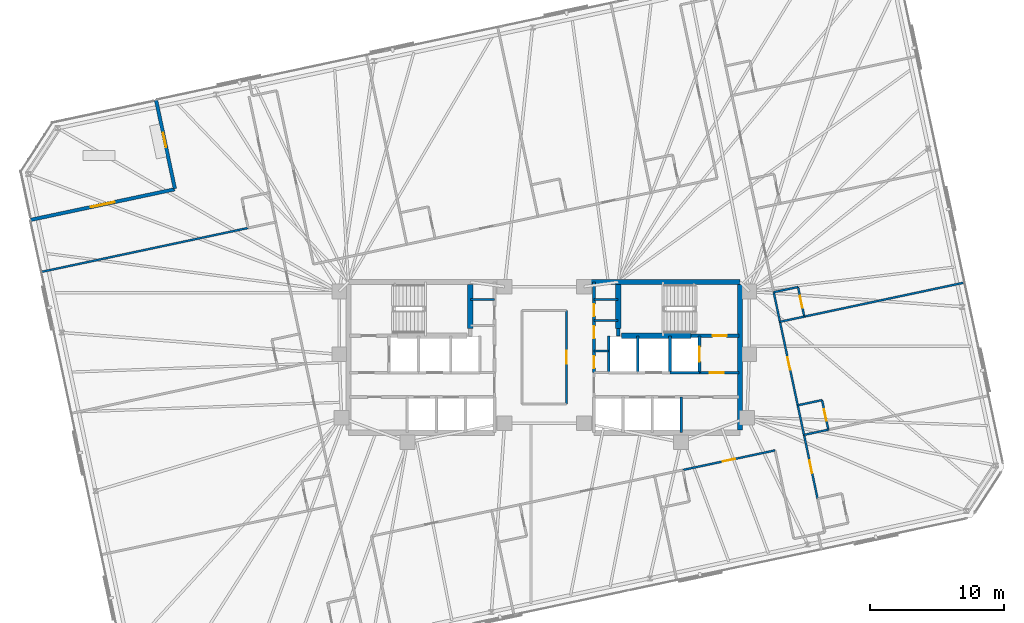
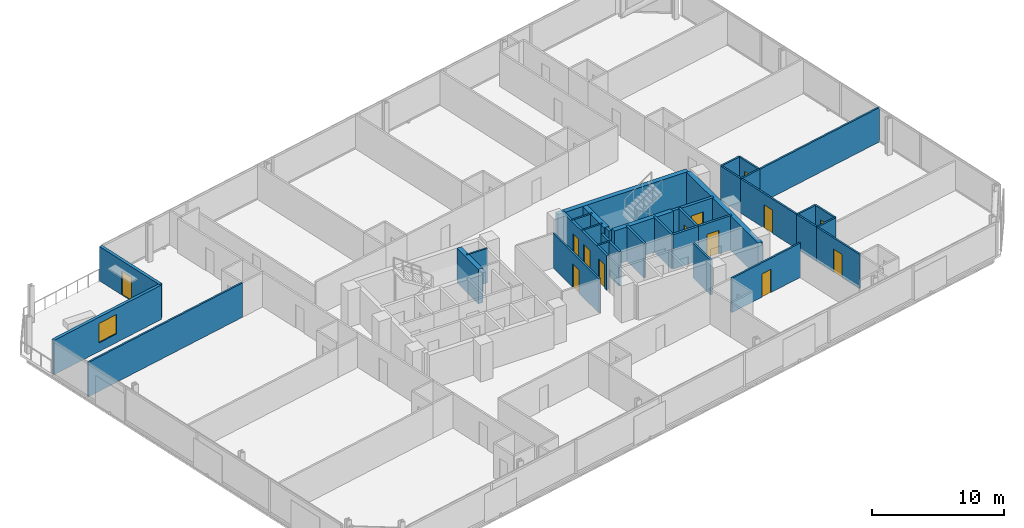
# One storey, part 16 of 20: 35 walls, 13 doors, 1 window, 14 openings.
"""IFC4 building model written with IfcOpenShell, lengths in metres."""

from ifc_helpers import new_model, si_unit, direction, frame, frame_2d, origin, place, context, subcontext, project, spatial, rectangle, extrude, material, layer, layer_set, type_object, element, fill, save


model = new_model("IFC4")

# Units and contexts
model_context = context("Model", 3, precision=1e-05, world=origin(), true_north=direction((0.0, 1.0)))
body_context = subcontext(model_context, "Body", "Model", "MODEL_VIEW")
ifc_project = project(units=[si_unit("LENGTHUNIT", "METRE"), si_unit("AREAUNIT", "SQUARE_METRE"), si_unit("VOLUMEUNIT", "CUBIC_METRE"), si_unit("PLANEANGLEUNIT", "RADIAN"), si_unit("MASSUNIT", "GRAM", prefix="KILO")], contexts=[model_context])

# Site, building, storey
site_placement = place(None, origin())
site = spatial("IfcSite", under=ifc_project, at=site_placement, CompositionType="ELEMENT")
building_placement = place(site_placement, origin())
building = spatial("IfcBuilding", under=site, at=building_placement, Name="Menara Jurai Vektor", CompositionType="ELEMENT")
storey_placement = place(building_placement, frame((0.0, 0.0, 175.199951171875)))
storey = spatial("IfcBuildingStorey", under=building, at=storey_placement, Name="L45", CompositionType="ELEMENT", Elevation=175.199951171875)

# Wall, opening, door
ifc_material_1 = material(Name="Insulated Pale Aluminium Terrace Wall", Category="aluminium")
ifc_layer_1 = layer(ifc_material_1, 0.260009765625)
ifc_layer_set_1 = layer_set([ifc_layer_1], Name="Insulated Pale Aluminium Terrace Wall")
wall_type_1 = type_object("IfcWallType", Name="ENV-WALL-EXT260", PredefinedType="STANDARD", material=ifc_layer_set_1)
wall_1_placement = place(storey_placement, frame((-28.872314453125, 19.122802734375, 0.0), z_axis=(0.0, 0.0, 1.0), x_axis=(0.207950596046, -0.978139330364, 0.0)))
wall_1 = element("IfcWall", 1, at=wall_1_placement, inside=storey, type_object=wall_type_1, Name="Recessed Sky Terrace Wall L45-01", PredefinedType="STANDARD", context=body_context, shape_type="SweptSolid", body=[
    extrude(rectangle(XDim=6.740234375, YDim=0.260009765625, at=frame_2d((3.3701171875, 0.0))), origin(), (0.0, 0.0, 1.0), 3.175048828125),
])
opening_1_placement = place(wall_1_placement, frame((2.48291015625, 0.0, 0.0)))
opening_1 = element("IfcOpeningElement", 2, at=opening_1_placement, cuts=wall_1, Name="Opening TD-L45", PredefinedType="OPENING", context=body_context, shape_type="SweptSolid", body=[
    extrude(rectangle(XDim=1.10009765625, YDim=2.199951171875, at=frame_2d((0.550048828125, 1.10009765625))), frame((0.0, 0.14013671875, 0.0), z_axis=(0.0, -1.0, 0.0), x_axis=(1.0, 0.0, 0.0)), (0.0, 0.0, 1.0), 0.280029296875),
])
ifc_material_2 = material(Name="Anodised Aluminium Glazed Terrace Door", Category="aluminium")
door_type_1 = type_object("IfcDoorType", Name="ENV-DOOR-TER110", OperationType="NOTDEFINED", PredefinedType="DOOR", material=ifc_material_2)
door_1_placement = place(opening_1_placement, frame((1.10009765625, 0.0, 0.0), z_axis=(0.0, 0.0, 1.0), x_axis=(-1.0, 0.0, 0.0)))
door_1 = element("IfcDoor", 3, at=door_1_placement, inside=storey, type_object=door_type_1, Name="Spiral Corner Terrace Access Door L45", OperationType="SINGLE_SWING_LEFT", OverallHeight=2.199951171875, OverallWidth=1.10009765625, PredefinedType="DOOR", context=body_context, shape_type="SweptSolid", body=[
    extrude(rectangle(XDim=1.10009765625, YDim=2.199951171875, at=frame_2d((0.550048828125, 1.10009765625))), frame((0.0, 0.02490234375, 0.0), z_axis=(0.0, -1.0, 0.0), x_axis=(1.0, 0.0, 0.0)), (0.0, 0.0, 1.0), 0.050048828125),
])
fill(opening_1, door_1)

# Wall, opening, window
wall_2_placement = place(storey_placement, frame((-27.493896484375, 12.49462890625, 0.0), z_axis=(0.0, 0.0, 1.0), x_axis=(-0.978145633983, -0.207920943438, 0.0)))
wall_2 = element("IfcWall", 4, at=wall_2_placement, inside=storey, type_object=wall_type_1, Name="Recessed Sky Terrace Wall L45-02", PredefinedType="STANDARD", context=body_context, shape_type="SweptSolid", body=[
    extrude(rectangle(XDim=10.93994140625, YDim=0.260009765625, at=frame_2d((5.469970703125, 0.0))), origin(), (0.0, 0.0, 1.0), 3.175048828125),
])
opening_2_placement = place(wall_2_placement, frame((4.570068359375, 0.0, 0.800048828125)))
opening_2 = element("IfcOpeningElement", 5, at=opening_2_placement, cuts=wall_2, Name="Opening TW-18", PredefinedType="OPENING", context=body_context, shape_type="SweptSolid", body=[
    extrude(rectangle(XDim=1.800048828125, YDim=1.800048828125, at=frame_2d((0.89990234375, 0.89990234375))), frame((0.0, 0.14013671875, 0.0), z_axis=(0.0, -1.0, 0.0), x_axis=(1.0, 0.0, 0.0)), (0.0, 0.0, 1.0), 0.280029296875),
])
ifc_material_3 = material(Name="Low-E Double Glazed Pale Aluminium Window", Category="aluminium")
window_type = type_object("IfcWindowType", Name="ENV-WIN-TER180", PartitioningType="SINGLE_PANEL", PredefinedType="WINDOW", material=ifc_material_3)
window_placement = place(opening_2_placement, origin())
window = element("IfcWindow", 6, at=window_placement, inside=storey, type_object=window_type, Name="Spiral Terrace Outlook Window L45", OverallHeight=1.800048828125, OverallWidth=1.800048828125, PartitioningType="SINGLE_PANEL", PredefinedType="WINDOW", context=body_context, shape_type="SweptSolid", body=[
    extrude(rectangle(XDim=1.800048828125, YDim=1.800048828125, at=frame_2d((0.89990234375, 0.89990234375))), frame((0.0, 0.030029296875, 0.0), z_axis=(0.0, -1.0, 0.0), x_axis=(1.0, 0.0, 0.0)), (0.0, 0.0, 1.0), 0.06005859375),
])
fill(opening_2, window)

# Wall, opening, door
ifc_material_4 = material(Name="Concrete C40/50", Category="concrete")
ifc_layer_2 = layer(ifc_material_4, 0.25)
ifc_layer_set_2 = layer_set([ifc_layer_2], Name="Concrete C40/50")
wall_type_2 = type_object("IfcWallType", Name="INT-WALL-CORE-250", PredefinedType="STANDARD", material=ifc_layer_set_2)
wall_3_placement = place(storey_placement, frame((10.89990234375, 1.60009765625, 0.0), z_axis=(0.0, 0.0, 1.0), x_axis=(1.0, 0.0, 0.0)))
wall_3 = element("IfcWall", 7, at=wall_3_placement, inside=storey, type_object=wall_type_2, Name="Interior Wall IW-250 L45", PredefinedType="STANDARD", context=body_context, shape_type="SweptSolid", body=[
    extrude(rectangle(XDim=3.60009765625, YDim=0.25, at=frame_2d((1.800048828125, 0.0))), origin(), (0.0, 0.0, 1.0), 3.175048828125),
])
opening_3_placement = place(wall_3_placement, frame((1.6201171875, 0.0, 0.0)))
opening_3 = element("IfcOpeningElement", 8, at=opening_3_placement, cuts=wall_3, Name="Opening D-L45-ST2", PredefinedType="OPENING", context=body_context, shape_type="SweptSolid", body=[
    extrude(rectangle(XDim=1.050048828125, YDim=2.14990234375, at=frame_2d((0.52490234375, 1.074951171875))), frame((0.0, 0.135009765625, 0.0), z_axis=(0.0, -1.0, 0.0), x_axis=(1.0, 0.0, 0.0)), (0.0, 0.0, 1.0), 0.27001953125),
])
ifc_material_5 = material(Name="Fire-Rated Steel Door", Category="steel")
door_type_2 = type_object("IfcDoorType", Name="DR-STAIR-1050", OperationType="NOTDEFINED", PredefinedType="DOOR", material=ifc_material_5)
door_2_placement = place(opening_3_placement, origin())
door_2 = element("IfcDoor", 9, at=door_2_placement, inside=storey, type_object=door_type_2, Name="Exit Stair ST2 Door L45", OperationType="SINGLE_SWING_LEFT", OverallHeight=2.14990234375, OverallWidth=1.050048828125, PredefinedType="DOOR", context=body_context, shape_type="SweptSolid", body=[
    extrude(rectangle(XDim=1.050048828125, YDim=2.14990234375, at=frame_2d((0.52490234375, 1.074951171875))), frame((0.0, 0.02490234375, 0.0), z_axis=(0.0, -1.0, 0.0), x_axis=(1.0, 0.0, 0.0)), (0.0, 0.0, 1.0), 0.050048828125),
])
fill(opening_3, door_2)

# Wall
wall_4_placement = place(storey_placement, frame((5.5, 1.60009765625, 0.0), z_axis=(0.0, 0.0, 1.0), x_axis=(0.0, 1.0, 0.0)))
element("IfcWall", 10, at=wall_4_placement, inside=storey, type_object=wall_type_2, Name="Interior Wall IW-250 L45", PredefinedType="STANDARD", context=body_context, shape_type="SweptSolid", body=[
    extrude(rectangle(XDim=0.5498046875, YDim=0.25, at=frame_2d((0.27490234375, 0.0))), origin(), (0.0, 0.0, 1.0), 3.175048828125),
])

# Wall, opening, door
wall_5_placement = place(storey_placement, frame((11.550048828125, -1.14990234375, 0.0), z_axis=(0.0, 0.0, 1.0), x_axis=(0.0, 1.0, 0.0)))
wall_5 = element("IfcWall", 11, at=wall_5_placement, inside=storey, type_object=wall_type_2, Name="Interior Wall IW-250 L45", PredefinedType="STANDARD", context=body_context, shape_type="SweptSolid", body=[
    extrude(rectangle(XDim=2.75, YDim=0.199951171875, at=frame_2d((1.375, 0.0))), origin(), (0.0, 0.0, 1.0), 3.175048828125),
])
opening_4_placement = place(wall_5_placement, frame((0.824951171875, 0.0, 0.0)))
opening_4 = element("IfcOpeningElement", 12, at=opening_4_placement, cuts=wall_5, Name="Opening LD-L45-FL2", PredefinedType="OPENING", context=body_context, shape_type="SweptSolid", body=[
    extrude(rectangle(XDim=1.10009765625, YDim=2.14990234375, at=frame_2d((0.550048828125, 1.074951171875))), frame((0.0, 0.10986328125, 0.0), z_axis=(0.0, -1.0, 0.0), x_axis=(1.0, 0.0, 0.0)), (0.0, 0.0, 1.0), 0.219970703125),
])
ifc_material_6 = material(Name="Stainless Steel Sliding Lift Landing Door", Category="steel")
door_type_3 = type_object("IfcDoorType", Name="DR-LIFT-FIRE-1100", OperationType="NOTDEFINED", PredefinedType="DOOR", material=ifc_material_6)
door_3_placement = place(opening_4_placement, origin())
door_3 = element("IfcDoor", 13, at=door_3_placement, inside=storey, type_object=door_type_3, Name="Lift Landing Door FL2 L45", OperationType="SLIDING_TO_RIGHT", OverallHeight=2.14990234375, OverallWidth=1.10009765625, PredefinedType="DOOR", context=body_context, shape_type="SweptSolid", body=[
    extrude(rectangle(XDim=1.10009765625, YDim=2.14990234375, at=frame_2d((0.550048828125, 1.074951171875))), frame((0.0, 0.02490234375, 0.0), z_axis=(0.0, -1.0, 0.0), x_axis=(1.0, 0.0, 0.0)), (0.0, 0.0, 1.0), 0.050048828125),
])
fill(opening_4, door_3)

# Wall
wall_6_placement = place(storey_placement, frame((9.35009765625, -1.14990234375, 0.0), z_axis=(0.0, 0.0, 1.0), x_axis=(0.0, 1.0, 0.0)))
element("IfcWall", 14, at=wall_6_placement, inside=storey, type_object=wall_type_2, Name="Interior Wall IW-250 L45", PredefinedType="STANDARD", context=body_context, shape_type="SweptSolid", body=[
    extrude(rectangle(XDim=2.75, YDim=0.199951171875, at=frame_2d((1.375, 0.0))), origin(), (0.0, 0.0, 1.0), 3.175048828125),
])

# Wall, opening, door
wall_7_placement = place(storey_placement, frame((11.550048828125, -1.14990234375, 0.0), z_axis=(0.0, 0.0, 1.0), x_axis=(1.0, 0.0, 0.0)))
wall_7 = element("IfcWall", 15, at=wall_7_placement, inside=storey, type_object=wall_type_2, Name="Interior Wall IW-250 L45", PredefinedType="STANDARD", context=body_context, shape_type="SweptSolid", body=[
    extrude(rectangle(XDim=2.949951171875, YDim=0.199951171875, at=frame_2d((1.47509765625, 0.0))), origin(), (0.0, 0.0, 1.0), 3.175048828125),
])
opening_5_placement = place(wall_7_placement, frame((0.75, 0.0, 0.0)))
opening_5 = element("IfcOpeningElement", 16, at=opening_5_placement, cuts=wall_7, Name="Opening D-L45-FFE", PredefinedType="OPENING", context=body_context, shape_type="SweptSolid", body=[
    extrude(rectangle(XDim=1.050048828125, YDim=2.179931640625, at=frame_2d((0.52490234375, 1.08984375))), frame((0.0, 0.10986328125, 0.0), z_axis=(0.0, -1.0, 0.0), x_axis=(1.0, 0.0, 0.0)), (0.0, 0.0, 1.0), 0.219970703125),
])
ifc_material_7 = material(Name="Fire-Rated Timber Door", Category="wood")
door_type_4 = type_object("IfcDoorType", Name="DR-LOBBY-1050", OperationType="NOTDEFINED", PredefinedType="DOOR", material=ifc_material_7)
door_4_placement = place(opening_5_placement, origin())
door_4 = element("IfcDoor", 17, at=door_4_placement, inside=storey, type_object=door_type_4, Name="Fire Lift Lobby Door E L45", OperationType="SINGLE_SWING_LEFT", OverallHeight=2.179931640625, OverallWidth=1.050048828125, PredefinedType="DOOR", context=body_context, shape_type="SweptSolid", body=[
    extrude(rectangle(XDim=1.050048828125, YDim=2.179931640625, at=frame_2d((0.52490234375, 1.08984375))), frame((0.0, 0.02490234375, 0.0), z_axis=(0.0, -1.0, 0.0), x_axis=(1.0, 0.0, 0.0)), (0.0, 0.0, 1.0), 0.050048828125),
])
fill(opening_5, door_4)

# Walls
wall_8_placement = place(storey_placement, frame((9.35009765625, -1.14990234375, 0.0), z_axis=(0.0, 0.0, 1.0), x_axis=(1.0, 0.0, 0.0)))
element("IfcWall", 18, at=wall_8_placement, inside=storey, type_object=wall_type_2, Name="Interior Wall IW-250 L45", PredefinedType="STANDARD", context=body_context, shape_type="SweptSolid", body=[
    extrude(rectangle(XDim=2.199951171875, YDim=0.199951171875, at=frame_2d((1.10009765625, 0.0))), origin(), (0.0, 0.0, 1.0), 3.175048828125),
])
ifc_material_8 = material(Name="Gypsum Fireboard Partition", Category="gypsum")
ifc_layer_3 = layer(ifc_material_8, 0.14990234375)
ifc_layer_set_3 = layer_set([ifc_layer_3], Name="Gypsum Fireboard Partition")
wall_type_3 = type_object("IfcWallType", Name="INT-WALL-CORR-150", PredefinedType="PARTITIONING", material=ifc_layer_set_3)
for number, where, z_axis, x_axis, name in (
    (19, (-5.5, 4.300048828125, 0.0), (0.0, 0.0, 1.0), (1.0, 0.0, 0.0), "Interior Wall IW-150 L45"),
    (20, (3.699951171875, 4.300048828125, 0.0), (0.0, 0.0, 1.0), (1.0, 0.0, 0.0), "Interior Wall IW-150 L45"),
):
    element("IfcWall", number, at=place(storey_placement, frame(where, z_axis=z_axis, x_axis=x_axis)), inside=storey, type_object=wall_type_3, Name=name, PredefinedType="PARTITIONING", context=body_context, shape_type="SweptSolid", body=[
        extrude(rectangle(XDim=1.800048828125, YDim=0.14990234375, at=frame_2d((0.89990234375, 0.0))), origin(), (0.0, 0.0, 1.0), 3.175048828125),
    ])
wall_9_placement = place(storey_placement, frame((3.699951171875, 0.449951171875, 0.0), z_axis=(0.0, 0.0, 1.0), x_axis=(1.0, 0.0, 0.0)))
element("IfcWall", 21, at=wall_9_placement, inside=storey, type_object=wall_type_3, Name="Interior Wall IW-150 L45", PredefinedType="PARTITIONING", context=body_context, shape_type="SweptSolid", body=[
    extrude(rectangle(XDim=1.090087890625, YDim=0.14990234375, at=frame_2d((0.544921875, 0.0))), origin(), (0.0, 0.0, 1.0), 3.175048828125),
])
wall_10_placement = place(storey_placement, frame((3.699951171875, 2.75, 0.0), z_axis=(0.0, 0.0, 1.0), x_axis=(1.0, 0.0, 0.0)))
element("IfcWall", 22, at=wall_10_placement, inside=storey, type_object=wall_type_3, Name="Interior Wall IW-150 L45", PredefinedType="PARTITIONING", context=body_context, shape_type="SweptSolid", body=[
    extrude(rectangle(XDim=1.800048828125, YDim=0.14990234375, at=frame_2d((0.89990234375, 0.0))), origin(), (0.0, 0.0, 1.0), 3.175048828125),
])

# Wall, opening, door
wall_11_placement = place(storey_placement, frame((1.650390625, -3.490234375, 0.0), z_axis=(0.0, 0.0, 1.0), x_axis=(-6.9952083e-05, 0.999999997553, 0.0)))
wall_11 = element("IfcWall", 23, at=wall_11_placement, inside=storey, type_object=wall_type_3, Name="Interior Wall IW-150 L45", PredefinedType="PARTITIONING", context=body_context, shape_type="SweptSolid", body=[
    extrude(rectangle(XDim=6.980224609375, YDim=0.14990234375, at=frame_2d((3.490234375, 0.0))), origin(), (0.0, 0.0, 1.0), 3.175048828125),
])
opening_6_placement = place(wall_11_placement, frame((3.01513671875, 0.0, 0.0)))
opening_6 = element("IfcOpeningElement", 24, at=opening_6_placement, cuts=wall_11, Name="Opening D45-08", PredefinedType="OPENING", context=body_context, shape_type="SweptSolid", body=[
    extrude(rectangle(XDim=0.949951171875, YDim=2.14990234375, at=frame_2d((0.47509765625, 1.074951171875))), frame((0.0, 0.0849609375, 0.0), z_axis=(0.0, -1.0, 0.0), x_axis=(1.0, 0.0, 0.0)), (0.0, 0.0, 1.0), 0.169921875),
])
ifc_material_9 = material(Name="Solid Core Timber Fire Door", Category="wood")
door_type_5 = type_object("IfcDoorType", Name="DR-ENTRY-950", OperationType="NOTDEFINED", PredefinedType="DOOR", material=ifc_material_9)
door_5_placement = place(opening_6_placement, origin())
door_5 = element("IfcDoor", 25, at=door_5_placement, inside=storey, type_object=door_type_5, Name="Interior Door D45-08", OperationType="SINGLE_SWING_LEFT", OverallHeight=2.14990234375, OverallWidth=0.949951171875, PredefinedType="DOOR", context=body_context, shape_type="SweptSolid", body=[
    extrude(rectangle(XDim=0.949951171875, YDim=2.14990234375, at=frame_2d((0.47509765625, 1.074951171875))), frame((0.0, 0.02490234375, 0.0), z_axis=(0.0, -1.0, 0.0), x_axis=(1.0, 0.0, 0.0)), (0.0, 0.0, 1.0), 0.050048828125),
])
fill(opening_6, door_5)

wall_12_placement = place(storey_placement, frame((10.30859375, -8.382080078125, 0.0), z_axis=(0.0, 0.0, 1.0), x_axis=(0.978149817889, 0.207901259648, 0.0)))
wall_12 = element("IfcWall", 26, at=wall_12_placement, inside=storey, type_object=wall_type_3, Name="Interior Wall IW-150 L45", PredefinedType="PARTITIONING", context=body_context, shape_type="SweptSolid", body=[
    extrude(rectangle(XDim=7.007080078125, YDim=0.14990234375, at=frame_2d((3.50341796875, 0.0))), origin(), (0.0, 0.0, 1.0), 3.175048828125),
])
opening_7_placement = place(wall_12_placement, frame((3.04345703125, 0.0, 0.0)))
opening_7 = element("IfcOpeningElement", 27, at=opening_7_placement, cuts=wall_12, Name="Opening D45-19", PredefinedType="OPENING", context=body_context, shape_type="SweptSolid", body=[
    extrude(rectangle(XDim=0.919921875, YDim=2.14990234375, at=frame_2d((0.4599609375, 1.074951171875))), frame((0.0, 0.0849609375, 0.0), z_axis=(0.0, -1.0, 0.0), x_axis=(1.0, 0.0, 0.0)), (0.0, 0.0, 1.0), 0.169921875),
])
door_6_placement = place(opening_7_placement, origin())
door_6 = element("IfcDoor", 28, at=door_6_placement, inside=storey, type_object=door_type_5, Name="Interior Door D45-19", OperationType="SINGLE_SWING_RIGHT", OverallHeight=2.14990234375, OverallWidth=0.919921875, PredefinedType="DOOR", context=body_context, shape_type="SweptSolid", body=[
    extrude(rectangle(XDim=0.919921875, YDim=2.14990234375, at=frame_2d((0.4599609375, 1.074951171875))), frame((0.0, 0.02490234375, 0.0), z_axis=(0.0, -1.0, 0.0), x_axis=(1.0, 0.0, 0.0)), (0.0, 0.0, 1.0), 0.050048828125),
])
fill(opening_7, door_6)

wall_13_placement = place(storey_placement, frame((20.328125, -10.515380859375, 0.0), z_axis=(0.0, 0.0, 1.0), x_axis=(-0.207950868925, 0.97813927235, 0.0)))
wall_13 = element("IfcWall", 29, at=wall_13_placement, inside=storey, type_object=wall_type_3, Name="Interior Wall IW-150 L45", PredefinedType="PARTITIONING", context=body_context, shape_type="SweptSolid", body=[
    extrude(rectangle(XDim=4.849853515625, YDim=0.14990234375, at=frame_2d((2.4248046875, 0.0))), origin(), (0.0, 0.0, 1.0), 3.175048828125),
])
opening_8_placement = place(wall_13_placement, frame((1.949951171875, 0.0, 0.0)))
opening_8 = element("IfcOpeningElement", 30, at=opening_8_placement, cuts=wall_13, Name="Opening D45-29", PredefinedType="OPENING", context=body_context, shape_type="SweptSolid", body=[
    extrude(rectangle(XDim=0.949951171875, YDim=2.14990234375, at=frame_2d((0.47509765625, 1.074951171875))), frame((0.0, 0.0849609375, 0.0), z_axis=(0.0, -1.0, 0.0), x_axis=(1.0, 0.0, 0.0)), (0.0, 0.0, 1.0), 0.169921875),
])
door_7_placement = place(opening_8_placement, origin())
door_7 = element("IfcDoor", 31, at=door_7_placement, inside=storey, type_object=door_type_5, Name="Interior Door D45-29", OperationType="SINGLE_SWING_RIGHT", OverallHeight=2.14990234375, OverallWidth=0.949951171875, PredefinedType="DOOR", context=body_context, shape_type="SweptSolid", body=[
    extrude(rectangle(XDim=0.949951171875, YDim=2.14990234375, at=frame_2d((0.47509765625, 1.074951171875))), frame((0.0, 0.02490234375, 0.0), z_axis=(0.0, -1.0, 0.0), x_axis=(1.0, 0.0, 0.0)), (0.0, 0.0, 1.0), 0.050048828125),
])
fill(opening_8, door_7)

wall_14_placement = place(storey_placement, frame((18.851806640625, -3.57080078125, 0.0), z_axis=(0.0, 0.0, 1.0), x_axis=(-0.207879907349, 0.978154355979, 0.0)))
wall_14 = element("IfcWall", 32, at=wall_14_placement, inside=storey, type_object=wall_type_3, Name="Interior Wall IW-150 L45", PredefinedType="PARTITIONING", context=body_context, shape_type="SweptSolid", body=[
    extrude(rectangle(XDim=6.35009765625, YDim=0.14990234375, at=frame_2d((3.175048828125, 0.0))), origin(), (0.0, 0.0, 1.0), 3.175048828125),
])
opening_9_placement = place(wall_14_placement, frame((2.699951171875, 0.0, 0.0)))
opening_9 = element("IfcOpeningElement", 33, at=opening_9_placement, cuts=wall_14, Name="Opening D45-31", PredefinedType="OPENING", context=body_context, shape_type="SweptSolid", body=[
    extrude(rectangle(XDim=0.949951171875, YDim=2.14990234375, at=frame_2d((0.47509765625, 1.074951171875))), frame((0.0, 0.0849609375, 0.0), z_axis=(0.0, -1.0, 0.0), x_axis=(1.0, 0.0, 0.0)), (0.0, 0.0, 1.0), 0.169921875),
])
door_8_placement = place(opening_9_placement, origin())
door_8 = element("IfcDoor", 34, at=door_8_placement, inside=storey, type_object=door_type_5, Name="Interior Door D45-31", OperationType="SINGLE_SWING_RIGHT", OverallHeight=2.14990234375, OverallWidth=0.949951171875, PredefinedType="DOOR", context=body_context, shape_type="SweptSolid", body=[
    extrude(rectangle(XDim=0.949951171875, YDim=2.14990234375, at=frame_2d((0.47509765625, 1.074951171875))), frame((0.0, 0.02490234375, 0.0), z_axis=(0.0, -1.0, 0.0), x_axis=(1.0, 0.0, 0.0)), (0.0, 0.0, 1.0), 0.050048828125),
])
fill(opening_9, door_8)

# Walls
for number, where, z_axis, x_axis, name in (
    (35, (19.319580078125, -5.771484375, 0.0), (0.0, 0.0, 1.0), (-0.207913264065, 0.978147266328, 0.0), "Interior Wall IW-150 L45"),
    (36, (17.53173828125, 2.640625, 0.0), (0.0, 0.0, 1.0), (-0.207913264065, 0.978147266328, 0.0), "Interior Wall IW-150 L45"),
):
    element("IfcWall", number, at=place(storey_placement, frame(where, z_axis=z_axis, x_axis=x_axis)), inside=storey, type_object=wall_type_3, Name=name, PredefinedType="PARTITIONING", context=body_context, shape_type="SweptSolid", body=[
        extrude(rectangle(XDim=2.249755859375, YDim=0.14990234375, at=frame_2d((1.125, 0.0))), origin(), (0.0, 0.0, 1.0), 3.175048828125),
    ])
wall_15_placement = place(storey_placement, frame((-37.403076171875, 6.35009765625, 0.0), z_axis=(0.0, 0.0, 1.0), x_axis=(0.978149296727, 0.207903711638, 0.0)))
element("IfcWall", 37, at=wall_15_placement, inside=storey, type_object=wall_type_3, Name="Interior Wall IW-150 L45", PredefinedType="PARTITIONING", context=body_context, shape_type="SweptSolid", body=[
    extrude(rectangle(XDim=15.718017578125, YDim=0.14990234375, at=frame_2d((7.85888671875, 0.0))), origin(), (0.0, 0.0, 1.0), 3.175048828125),
])
wall_16_placement = place(storey_placement, frame((19.319580078125, -5.771484375, 0.0), z_axis=(0.0, 0.0, 1.0), x_axis=(0.978165892835, 0.207825614625, 0.0)))
element("IfcWall", 38, at=wall_16_placement, inside=storey, type_object=wall_type_3, Name="Interior Wall IW-150 L45", PredefinedType="PARTITIONING", context=body_context, shape_type="SweptSolid", body=[
    extrude(rectangle(XDim=1.85009765625, YDim=0.14990234375, at=frame_2d((0.925048828125, 0.0))), origin(), (0.0, 0.0, 1.0), 3.175048828125),
])
wall_17_placement = place(storey_placement, frame((18.851806640625, -3.57080078125, 0.0), z_axis=(0.0, 0.0, 1.0), x_axis=(0.978139061018, 0.207951862966, 0.0)))
element("IfcWall", 39, at=wall_17_placement, inside=storey, type_object=wall_type_3, Name="Interior Wall IW-150 L45", PredefinedType="PARTITIONING", context=body_context, shape_type="SweptSolid", body=[
    extrude(rectangle(XDim=1.850341796875, YDim=0.14990234375, at=frame_2d((0.92529296875, 0.0))), origin(), (0.0, 0.0, 1.0), 3.175048828125),
])

# Wall, opening, door
wall_18_placement = place(storey_placement, frame((21.12939453125, -5.386962890625, 0.0), z_axis=(0.0, 0.0, 1.0), x_axis=(-0.207891197838, 0.978151956427, 0.0)))
wall_18 = element("IfcWall", 40, at=wall_18_placement, inside=storey, type_object=wall_type_3, Name="Interior Wall IW-150 L45", PredefinedType="PARTITIONING", context=body_context, shape_type="SweptSolid", body=[
    extrude(rectangle(XDim=2.25, YDim=0.14990234375, at=frame_2d((1.125, 0.0))), origin(), (0.0, 0.0, 1.0), 3.175048828125),
])
opening_10_placement = place(wall_18_placement, frame((0.68505859375, 0.0, 0.0)))
opening_10 = element("IfcOpeningElement", 41, at=opening_10_placement, cuts=wall_18, Name="Opening D45-32", PredefinedType="OPENING", context=body_context, shape_type="SweptSolid", body=[
    extrude(rectangle(XDim=0.8798828125, YDim=2.14990234375, at=frame_2d((0.43994140625, 1.074951171875))), frame((0.0, 0.0849609375, 0.0), z_axis=(0.0, -1.0, 0.0), x_axis=(1.0, 0.0, 0.0)), (0.0, 0.0, 1.0), 0.169921875),
])
ifc_material_10 = material(Name="Moisture-Resistant Timber Door", Category="wood")
door_type_6 = type_object("IfcDoorType", Name="DR-BATH-880", OperationType="NOTDEFINED", PredefinedType="DOOR", material=ifc_material_10)
door_9_placement = place(opening_10_placement, origin())
door_9 = element("IfcDoor", 42, at=door_9_placement, inside=storey, type_object=door_type_6, Name="Interior Door D45-32", OperationType="SINGLE_SWING_LEFT", OverallHeight=2.14990234375, OverallWidth=0.8798828125, PredefinedType="DOOR", context=body_context, shape_type="SweptSolid", body=[
    extrude(rectangle(XDim=0.8798828125, YDim=2.14990234375, at=frame_2d((0.43994140625, 1.074951171875))), frame((0.0, 0.02490234375, 0.0), z_axis=(0.0, -1.0, 0.0), x_axis=(1.0, 0.0, 0.0)), (0.0, 0.0, 1.0), 0.050048828125),
])
fill(opening_10, door_9)

# Walls
wall_19_placement = place(storey_placement, frame((19.34130859375, 3.025146484375, 0.0), z_axis=(0.0, 0.0, 1.0), x_axis=(0.97814556055, 0.207921288896, 0.0)))
element("IfcWall", 43, at=wall_19_placement, inside=storey, type_object=wall_type_3, Name="Interior Wall IW-150 L45", PredefinedType="PARTITIONING", context=body_context, shape_type="SweptSolid", body=[
    extrude(rectangle(XDim=12.18701171875, YDim=0.14990234375, at=frame_2d((6.093505859375, 0.0))), origin(), (0.0, 0.0, 1.0), 3.175048828125),
])
wall_20_placement = place(storey_placement, frame((17.53173828125, 2.640625, 0.0), z_axis=(0.0, 0.0, 1.0), x_axis=(0.978160192495, 0.207852442415, 0.0)))
element("IfcWall", 44, at=wall_20_placement, inside=storey, type_object=wall_type_3, Name="Interior Wall IW-150 L45", PredefinedType="PARTITIONING", context=body_context, shape_type="SweptSolid", body=[
    extrude(rectangle(XDim=1.849853515625, YDim=0.14990234375, at=frame_2d((0.9248046875, 0.0))), origin(), (0.0, 0.0, 1.0), 3.175048828125),
])
wall_21_placement = place(storey_placement, frame((17.06396484375, 4.84130859375, 0.0), z_axis=(0.0, 0.0, 1.0), x_axis=(0.978133353907, 0.20797870558, 0.0)))
element("IfcWall", 45, at=wall_21_placement, inside=storey, type_object=wall_type_3, Name="Interior Wall IW-150 L45", PredefinedType="PARTITIONING", context=body_context, shape_type="SweptSolid", body=[
    extrude(rectangle(XDim=1.85009765625, YDim=0.14990234375, at=frame_2d((0.925048828125, 0.0))), origin(), (0.0, 0.0, 1.0), 3.175048828125),
])

# Wall, opening, door
wall_22_placement = place(storey_placement, frame((19.34130859375, 3.025146484375, 0.0), z_axis=(0.0, 0.0, 1.0), x_axis=(-0.207891197838, 0.978151956427, 0.0)))
wall_22 = element("IfcWall", 46, at=wall_22_placement, inside=storey, type_object=wall_type_3, Name="Interior Wall IW-150 L45", PredefinedType="PARTITIONING", context=body_context, shape_type="SweptSolid", body=[
    extrude(rectangle(XDim=2.25, YDim=0.14990234375, at=frame_2d((1.125, 0.0))), origin(), (0.0, 0.0, 1.0), 3.175048828125),
])
opening_11_placement = place(wall_22_placement, frame((0.68505859375, 0.0, 0.0)))
opening_11 = element("IfcOpeningElement", 47, at=opening_11_placement, cuts=wall_22, Name="Opening D45-34", PredefinedType="OPENING", context=body_context, shape_type="SweptSolid", body=[
    extrude(rectangle(XDim=0.8798828125, YDim=2.14990234375, at=frame_2d((0.43994140625, 1.074951171875))), frame((0.0, 0.0849609375, 0.0), z_axis=(0.0, -1.0, 0.0), x_axis=(1.0, 0.0, 0.0)), (0.0, 0.0, 1.0), 0.169921875),
])
door_10_placement = place(opening_11_placement, origin())
door_10 = element("IfcDoor", 48, at=door_10_placement, inside=storey, type_object=door_type_6, Name="Interior Door D45-34", OperationType="SINGLE_SWING_LEFT", OverallHeight=2.14990234375, OverallWidth=0.8798828125, PredefinedType="DOOR", context=body_context, shape_type="SweptSolid", body=[
    extrude(rectangle(XDim=0.8798828125, YDim=2.14990234375, at=frame_2d((0.43994140625, 1.074951171875))), frame((0.0, 0.02490234375, 0.0), z_axis=(0.0, -1.0, 0.0), x_axis=(1.0, 0.0, 0.0)), (0.0, 0.0, 1.0), 0.050048828125),
])
fill(opening_11, door_10)

# Wall, openings, doors
ifc_layer_4 = layer(ifc_material_4, 0.199951171875)
ifc_layer_set_4 = layer_set([ifc_layer_4], Name="Concrete C40/50")
wall_type_4 = type_object("IfcWallType", Name="INT-WALL-SHAFT-200", PredefinedType="STANDARD", material=ifc_layer_set_4)
wall_23_placement = place(storey_placement, frame((3.699951171875, -1.14990234375, 0.0), z_axis=(0.0, 0.0, 1.0), x_axis=(0.0, 1.0, 0.0)))
wall_23 = element("IfcWall", 49, at=wall_23_placement, inside=storey, type_object=wall_type_4, Name="Interior Wall IW-200 L45", PredefinedType="STANDARD", context=body_context, shape_type="SweptSolid", body=[
    extrude(rectangle(XDim=6.75, YDim=0.199951171875, at=frame_2d((3.375, 0.0))), origin(), (0.0, 0.0, 1.0), 3.175048828125),
])
opening_12_placement = place(wall_23_placement, frame((0.35009765625, 0.0, 0.0)))
opening_12 = element("IfcOpeningElement", 50, at=opening_12_placement, cuts=wall_23, Name="Opening D45-05", PredefinedType="OPENING", context=body_context, shape_type="SweptSolid", body=[
    extrude(rectangle(XDim=0.8798828125, YDim=2.14990234375, at=frame_2d((0.43994140625, 1.074951171875))), frame((0.0, 0.10986328125, 0.0), z_axis=(0.0, -1.0, 0.0), x_axis=(1.0, 0.0, 0.0)), (0.0, 0.0, 1.0), 0.219970703125),
])
opening_13_placement = place(wall_23_placement, frame((2.550048828125, 0.0, 0.0)))
opening_13 = element("IfcOpeningElement", 51, at=opening_13_placement, cuts=wall_23, Name="Opening D45-06", PredefinedType="OPENING", context=body_context, shape_type="SweptSolid", body=[
    extrude(rectangle(XDim=0.919921875, YDim=2.14990234375, at=frame_2d((0.4599609375, 1.074951171875))), frame((0.0, 0.10986328125, 0.0), z_axis=(0.0, -1.0, 0.0), x_axis=(1.0, 0.0, 0.0)), (0.0, 0.0, 1.0), 0.219970703125),
])
opening_14_placement = place(wall_23_placement, frame((4.219970703125, 0.0, 0.0)))
opening_14 = element("IfcOpeningElement", 52, at=opening_14_placement, cuts=wall_23, Name="Opening D45-07", PredefinedType="OPENING", context=body_context, shape_type="SweptSolid", body=[
    extrude(rectangle(XDim=0.8798828125, YDim=2.14990234375, at=frame_2d((0.43994140625, 1.074951171875))), frame((0.0, 0.10986328125, 0.0), z_axis=(0.0, -1.0, 0.0), x_axis=(1.0, 0.0, 0.0)), (0.0, 0.0, 1.0), 0.219970703125),
])
door_11_placement = place(opening_12_placement, origin())
door_11 = element("IfcDoor", 53, at=door_11_placement, inside=storey, type_object=door_type_5, Name="Interior Door D45-05", OperationType="SINGLE_SWING_RIGHT", OverallHeight=2.14990234375, OverallWidth=0.8798828125, PredefinedType="DOOR", context=body_context, shape_type="SweptSolid", body=[
    extrude(rectangle(XDim=0.8798828125, YDim=2.14990234375, at=frame_2d((0.43994140625, 1.074951171875))), frame((0.0, 0.02490234375, 0.0), z_axis=(0.0, -1.0, 0.0), x_axis=(1.0, 0.0, 0.0)), (0.0, 0.0, 1.0), 0.050048828125),
])
fill(opening_12, door_11)
door_12_placement = place(opening_13_placement, origin())
door_12 = element("IfcDoor", 54, at=door_12_placement, inside=storey, type_object=door_type_5, Name="Interior Door D45-06", OperationType="SINGLE_SWING_RIGHT", OverallHeight=2.14990234375, OverallWidth=0.919921875, PredefinedType="DOOR", context=body_context, shape_type="SweptSolid", body=[
    extrude(rectangle(XDim=0.919921875, YDim=2.14990234375, at=frame_2d((0.4599609375, 1.074951171875))), frame((0.0, 0.02490234375, 0.0), z_axis=(0.0, -1.0, 0.0), x_axis=(1.0, 0.0, 0.0)), (0.0, 0.0, 1.0), 0.050048828125),
])
fill(opening_13, door_12)
door_13_placement = place(opening_14_placement, origin())
door_13 = element("IfcDoor", 55, at=door_13_placement, inside=storey, type_object=door_type_5, Name="Interior Door D45-07", OperationType="SINGLE_SWING_RIGHT", OverallHeight=2.14990234375, OverallWidth=0.8798828125, PredefinedType="DOOR", context=body_context, shape_type="SweptSolid", body=[
    extrude(rectangle(XDim=0.8798828125, YDim=2.14990234375, at=frame_2d((0.43994140625, 1.074951171875))), frame((0.0, 0.02490234375, 0.0), z_axis=(0.0, -1.0, 0.0), x_axis=(1.0, 0.0, 0.0)), (0.0, 0.0, 1.0), 0.050048828125),
])
fill(opening_14, door_13)

# Walls
for number, where, z_axis, x_axis, name in (
    (56, (6.949951171875, -1.14990234375, 0.0), (0.0, 0.0, 1.0), (0.0, 1.0, 0.0), "Interior Wall IW-200 L45"),
    (57, (4.7900390625, -1.14990234375, 0.0), (0.0, 0.0, 1.0), (0.0, 1.0, 0.0), "Interior Wall IW-200 L45"),
):
    element("IfcWall", number, at=place(storey_placement, frame(where, z_axis=z_axis, x_axis=x_axis)), inside=storey, type_object=wall_type_4, Name=name, PredefinedType="STANDARD", context=body_context, shape_type="SweptSolid", body=[
        extrude(rectangle(XDim=2.75, YDim=0.199951171875, at=frame_2d((1.375, 0.0))), origin(), (0.0, 0.0, 1.0), 3.175048828125),
    ])
wall_24_placement = place(storey_placement, frame((10.179931640625, -5.60009765625, 0.0), z_axis=(0.0, 0.0, 1.0), x_axis=(0.0, 1.0, 0.0)))
element("IfcWall", 58, at=wall_24_placement, inside=storey, type_object=wall_type_4, Name="Interior Wall IW-200 L45", PredefinedType="STANDARD", context=body_context, shape_type="SweptSolid", body=[
    extrude(rectangle(XDim=2.650146484375, YDim=0.179931640625, at=frame_2d((1.3251953125, 0.0))), origin(), (0.0, 0.0, 1.0), 3.175048828125),
])
ifc_material_11 = material(Name="Concrete C50/60", Category="concrete")
ifc_layer_5 = layer(ifc_material_11, 0.39990234375)
ifc_layer_set_5 = layer_set([ifc_layer_5], Name="Concrete C50/60")
wall_type_5 = type_object("IfcWallType", Name="STR-WALL-CORE400", PredefinedType="SHEAR", material=ifc_layer_set_5)
wall_25_placement = place(storey_placement, frame((-5.5, 2.14990234375, 0.0), z_axis=(0.0, 0.0, 1.0), x_axis=(0.0, 1.0, 0.0)))
element("IfcWall", 59, at=wall_25_placement, inside=storey, type_object=wall_type_5, Name="Core Shear Wall CW-W-ST L45", PredefinedType="SHEAR", context=body_context, shape_type="SweptSolid", body=[
    extrude(rectangle(XDim=3.25, YDim=0.39990234375, at=frame_2d((1.625, 0.0))), origin(), (0.0, 0.0, 1.0), 3.175048828125),
])
wall_26_placement = place(storey_placement, frame((3.14990234375, 5.60009765625, 0.0), z_axis=(0.0, 0.0, 1.0), x_axis=(1.0, 0.0, 0.0)))
element("IfcWall", 60, at=wall_26_placement, inside=storey, type_object=wall_type_5, Name="Core Shear Wall CW-E-N L45", PredefinedType="SHEAR", context=body_context, shape_type="SweptSolid", body=[
    extrude(rectangle(XDim=11.41015625, YDim=0.39990234375, at=frame_2d((5.705078125, 0.0))), origin(), (0.0, 0.0, 1.0), 3.175048828125),
])
wall_27_placement = place(storey_placement, frame((14.56005859375, -5.39990234375, 0.0), z_axis=(0.0, 0.0, 1.0), x_axis=(0.0, 1.0, 0.0)))
element("IfcWall", 61, at=wall_27_placement, inside=storey, type_object=wall_type_5, Name="Core Shear Wall CW-E-E L45", PredefinedType="SHEAR", context=body_context, shape_type="SweptSolid", body=[
    extrude(rectangle(XDim=10.7998046875, YDim=0.39990234375, at=frame_2d((5.39990234375, 0.0))), origin(), (0.0, 0.0, 1.0), 3.175048828125),
])
wall_28_placement = place(storey_placement, frame((5.5, 2.14990234375, 0.0), z_axis=(0.0, 0.0, 1.0), x_axis=(0.0, 1.0, 0.0)))
element("IfcWall", 62, at=wall_28_placement, inside=storey, type_object=wall_type_5, Name="Core Shear Wall CW-E-ST L45", PredefinedType="SHEAR", context=body_context, shape_type="SweptSolid", body=[
    extrude(rectangle(XDim=3.25, YDim=0.39990234375, at=frame_2d((1.625, 0.0))), origin(), (0.0, 0.0, 1.0), 3.175048828125),
])
wall_29_placement = place(storey_placement, frame((5.75, 1.60009765625, 0.0), z_axis=(0.0, 0.0, 1.0), x_axis=(1.0, 0.0, 0.0)))
element("IfcWall", 63, at=wall_29_placement, inside=storey, type_object=wall_type_5, Name="Core Shear Wall CW-E-STS L45", PredefinedType="SHEAR", context=body_context, shape_type="SweptSolid", body=[
    extrude(rectangle(XDim=5.14990234375, YDim=0.39990234375, at=frame_2d((2.574951171875, 0.0))), origin(), (0.0, 0.0, 1.0), 3.175048828125),
])

save(model, "model.ifc")
